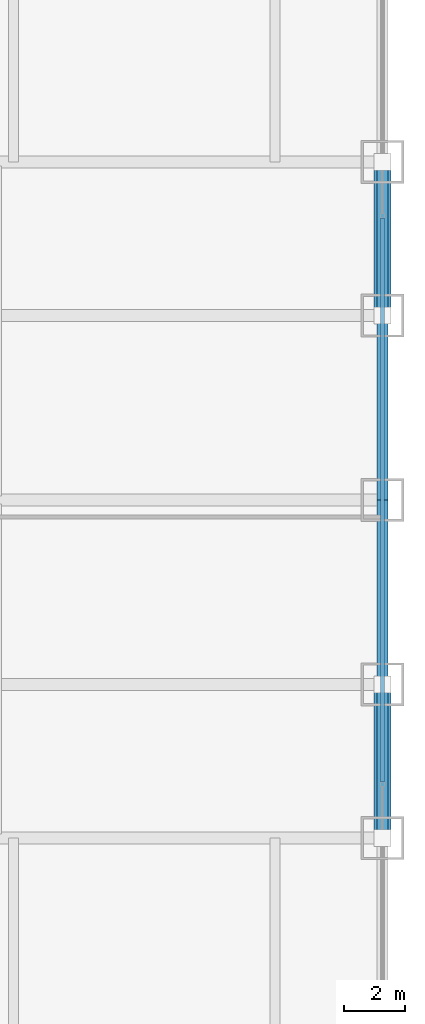
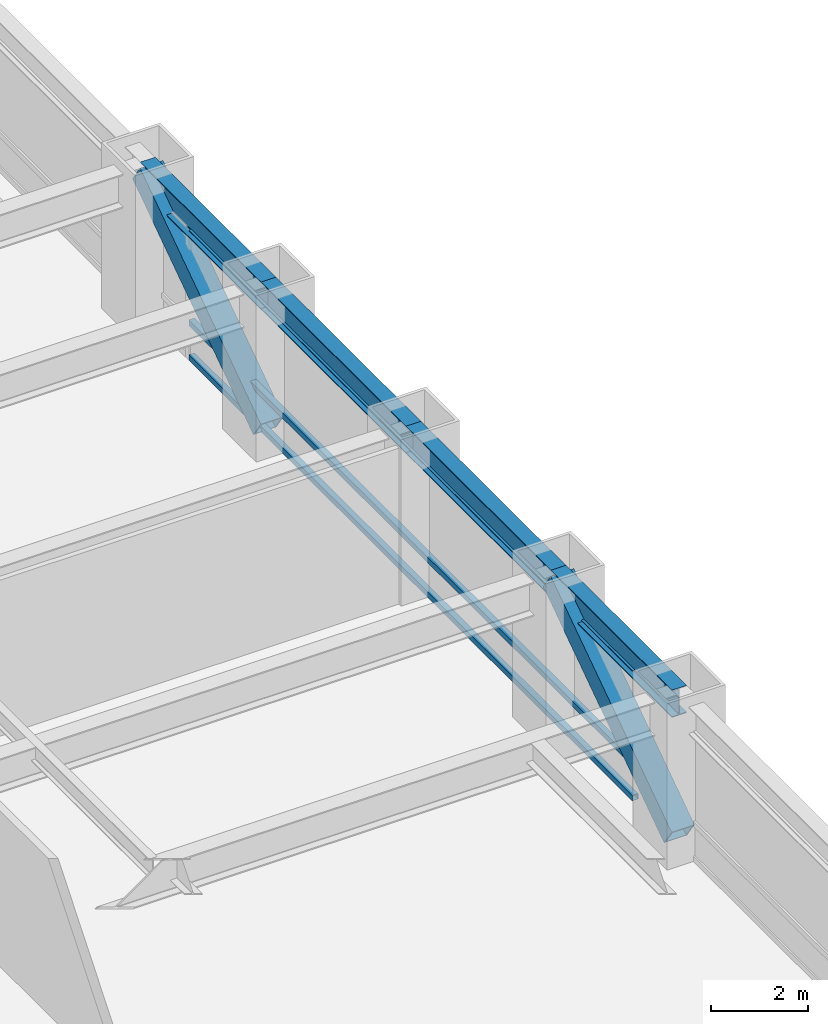
# One storey, part 17 of 28: 5 members, 4 beams, 1 element without a shape of its own.
"""IFC4 building model written with IfcOpenShell, lengths in metres."""

import ifcopenshell
import ifcopenshell.guid

model = None  # the IFC model being written
_history = None  # IfcOwnerHistory: only IFC2X3 demands one
_inside = {}  # id of a spatial element -> (the spatial element, [elements in it])
_under = {}  # id of a project, library or spatial element -> (it, [spatial elements below it])
_declared = {}  # id of a project -> (the project, [libraries it declares])
_typed = {}  # id of a type object -> (the type object, [elements of that type])
_made_of = {}  # id of a material, layer set ... -> (it, [elements and type objects made of it])


def new_model(schema):
    """Start an empty IFC model of exactly this schema.

    Asked for "IFC4X3", IfcOpenShell would pick the latest addendum, in which some entities
    have other attributes; the version numbers below select the first issue.
    IFC2X3 requires an IfcOwnerHistory on every rooted entity: one is made here for all.
    """
    global model, _history
    if schema == "IFC4X3":
        model = ifcopenshell.file(schema_version=(4, 3, 0, 0))
    else:
        model = ifcopenshell.file(schema=schema)
    _inside.clear()
    _under.clear()
    _declared.clear()
    _typed.clear()
    _made_of.clear()
    _history = None
    if model.schema == "IFC2X3":
        org = make("IfcOrganization", Name="unknown")
        user = make(
            "IfcPersonAndOrganization",
            ThePerson=make("IfcPerson", FamilyName="unknown"),
            TheOrganization=org,
        )
        app = make(
            "IfcApplication",
            ApplicationDeveloper=org,
            Version="unknown",
            ApplicationFullName="unknown",
            ApplicationIdentifier="unknown",
        )
        _history = make(
            "IfcOwnerHistory",
            OwningUser=user,
            OwningApplication=app,
            ChangeAction="ADDED",
            CreationDate=0,
        )
    return model


def make(cls, **values):
    """One entity of the class cls with the attributes given. An attribute that is None is left unset."""
    return model.create_entity(
        cls, **{name: value for name, value in values.items() if value is not None}
    )


def rooted(cls, **values):
    """An entity with a GlobalId (a new one), such as an element, a storey or a relation."""
    return make(cls, GlobalId=ifcopenshell.guid.new(), OwnerHistory=_history, **values)


def si_unit(unit_type, name, prefix=None):
    """IfcSIUnit, for example si_unit("LENGTHUNIT", "METRE", prefix="MILLI")."""
    return make("IfcSIUnit", UnitType=unit_type, Prefix=prefix, Name=name)


def assignment(units):
    """IfcUnitAssignment: the units of a project."""
    return None if units is None else make("IfcUnitAssignment", Units=units)


def point(xyz):
    """IfcCartesianPoint."""
    return None if xyz is None else make("IfcCartesianPoint", Coordinates=xyz)


def direction(xyz):
    """IfcDirection."""
    return None if xyz is None else make("IfcDirection", DirectionRatios=xyz)


def frame(location, z_axis=None, x_axis=None):
    """IfcAxis2Placement3D, a coordinate frame: its origin and axes. An axis left out is left unset."""
    return make(
        "IfcAxis2Placement3D",
        Location=point(location),
        Axis=direction(z_axis),
        RefDirection=direction(x_axis),
    )


def frame_2d(location, x_axis=None):
    """IfcAxis2Placement2D, a coordinate frame in the plane: its origin and x axis."""
    return make(
        "IfcAxis2Placement2D", Location=point(location), RefDirection=direction(x_axis)
    )


def origin():
    """The frame at (0, 0, 0) with its axes left unset."""
    return frame((0.0, 0.0, 0.0))


def origin_2d():
    """The frame at (0, 0) in the plane with its x axis left unset."""
    return frame_2d((0.0, 0.0))


def place(relative_to, where):
    """IfcLocalPlacement: puts the frame where relative to a parent placement (None: the world)."""
    return make(
        "IfcLocalPlacement", PlacementRelTo=relative_to, RelativePlacement=where
    )


def context(
    kind, dimensions, precision=None, world=None, true_north=None, identifier=None
):
    """IfcGeometricRepresentationContext, for example the 3D "Model" context."""
    return make(
        "IfcGeometricRepresentationContext",
        ContextIdentifier=identifier,
        ContextType=kind,
        CoordinateSpaceDimension=dimensions,
        Precision=precision,
        WorldCoordinateSystem=world,
        TrueNorth=true_north,
    )


def subcontext(parent, identifier, kind, view, scale=None):
    """IfcGeometricRepresentationSubContext, for example "Body" below "Model"."""
    return make(
        "IfcGeometricRepresentationSubContext",
        ContextIdentifier=identifier,
        ContextType=kind,
        ParentContext=parent,
        TargetScale=scale,
        TargetView=view,
    )


def project(units=None, contexts=None):
    """IfcProject with its units and contexts."""
    return rooted(
        "IfcProject",
        Name="project",
        RepresentationContexts=contexts,
        UnitsInContext=assignment(units),
    )


def spatial(cls, under=None, at=None, **own):
    """A site, building, storey or space (cls), placed at a placement, below another one or the project."""
    s = rooted(cls, ObjectPlacement=at, **own)
    if under is not None:
        _under.setdefault(under.id(), (under, []))[1].append(s)
    return s


def profile(cls, at=None, kind="AREA", **sizes):
    """A parametric profile (cls). Its sizes go by their IFC names, for example OverallWidth=200.0."""
    return make(cls, ProfileType=kind, Position=at, **sizes)


def hollow_rectangle(**sizes):
    """IfcRectangleHollowProfileDef."""
    return profile("IfcRectangleHollowProfileDef", **sizes)


def i_section(**sizes):
    """IfcIShapeProfileDef."""
    return profile("IfcIShapeProfileDef", **sizes)


def extrude(swept, where, along, depth):
    """IfcExtrudedAreaSolid: the profile swept, set in the frame where, extruded along a direction by depth."""
    return make(
        "IfcExtrudedAreaSolid",
        SweptArea=swept,
        Position=where,
        ExtrudedDirection=direction(along),
        Depth=depth,
    )


def shape(context_of_items, identifier, shape_type, items):
    """IfcShapeRepresentation: the items that make up one representation, for example the "Body"."""
    return make(
        "IfcShapeRepresentation",
        ContextOfItems=context_of_items,
        RepresentationIdentifier=identifier,
        RepresentationType=shape_type,
        Items=items,
    )


def source(mapping_origin, context_of_items, identifier, shape_type, items):
    """IfcRepresentationMap: a shape defined once, which mapped items show again and again."""
    return make(
        "IfcRepresentationMap",
        MappingOrigin=mapping_origin,
        MappedRepresentation=shape(context_of_items, identifier, shape_type, items),
    )


def transform(
    local_origin,
    x_axis=None,
    y_axis=None,
    z_axis=None,
    scale=None,
    scale2=None,
    scale3=None,
    uniform=True,
):
    """IfcCartesianTransformationOperator3D, or its non-uniform kind. x_axis, y_axis, z_axis: its Axis1, 2, 3."""
    if uniform:
        return make(
            "IfcCartesianTransformationOperator3D",
            Axis1=direction(x_axis),
            Axis2=direction(y_axis),
            LocalOrigin=point(local_origin),
            Scale=scale,
            Axis3=direction(z_axis),
        )
    return make(
        "IfcCartesianTransformationOperator3DnonUniform",
        Axis1=direction(x_axis),
        Axis2=direction(y_axis),
        LocalOrigin=point(local_origin),
        Scale=scale,
        Axis3=direction(z_axis),
        Scale2=scale2,
        Scale3=scale3,
    )


def mapped(mapping_source, mapping_target):
    """IfcMappedItem: shows the shape of a source again, moved by a transform."""
    return make(
        "IfcMappedItem", MappingSource=mapping_source, MappingTarget=mapping_target
    )


def material(Name=None, Category=None):
    """IfcMaterial."""
    return make("IfcMaterial", Name=Name, Category=Category)


def material_profile(
    of_material, cross_section, Name=None, Category=None, Priority=None
):
    """IfcMaterialProfile: a cross section and its material."""
    return make(
        "IfcMaterialProfile",
        Name=Name,
        Material=of_material,
        Profile=cross_section,
        Priority=Priority,
        Category=Category,
    )


def profile_set(profiles, Name=None, composite=None):
    """IfcMaterialProfileSet."""
    return make(
        "IfcMaterialProfileSet",
        Name=Name,
        MaterialProfiles=profiles,
        CompositeProfile=composite,
    )


def made_of(thing, what):
    """Note that an element or type object is made of a material, layer set ...; save() writes the relation."""
    if what is not None:
        _made_of.setdefault(what.id(), (what, []))[1].append(thing)
    return thing


def type_object(cls, material=None, **own):
    """A type object (cls), such as IfcWallType, which elements share."""
    return made_of(rooted(cls, **own), material)


def element(
    cls,
    number,
    at=None,
    inside=None,
    cuts=None,
    type_object=None,
    material=None,
    context=None,
    identifier="Body",
    shape_type=None,
    held_by="IfcProductDefinitionShape",
    body=None,
    shapes=None,
    **own,
):
    """One element of the class cls, such as IfcWall. Its Tag is "e" and its number.

    at: its placement. inside: the storey or other place that contains it. cuts: it is an
    opening in that element (IfcRelVoidsElement). A single representation is given by context,
    identifier, shape_type and body (its items); several are given by shapes. held_by: the class
    of the entity that holds the representations. save() writes the other relations.
    """
    e = rooted(cls, Tag="e%d" % number, ObjectPlacement=at, **own)
    if body is not None:
        shapes = [shape(context, identifier, shape_type, body)]
    if shapes is not None:
        e.Representation = make(held_by, Representations=shapes)
    if inside is not None:
        _inside.setdefault(inside.id(), (inside, []))[1].append(e)
    if cuts is not None:
        rooted(
            "IfcRelVoidsElement", RelatingBuildingElement=cuts, RelatedOpeningElement=e
        )
    if type_object is not None:
        _typed.setdefault(type_object.id(), (type_object, []))[1].append(e)
    return made_of(e, material)


def aggregate(whole, parts):
    """IfcRelAggregates: a whole, such as a stair, and the parts it consists of."""
    return rooted("IfcRelAggregates", RelatingObject=whole, RelatedObjects=parts)


def save(model, path):
    """Write the relations noted so far, then the file.

    IfcRelAggregates (storeys below a building ...), IfcRelContainedInSpatialStructure (elements
    in a storey), IfcRelDefinesByType, IfcRelAssociatesMaterial and IfcRelDeclares: one each for
    every whole, place, type object, material and project.
    """
    for whole, parts in _under.values():
        aggregate(whole, parts)
    for where, things in _inside.values():
        rooted(
            "IfcRelContainedInSpatialStructure",
            RelatedElements=things,
            RelatingStructure=where,
        )
    for kind, things in _typed.values():
        rooted("IfcRelDefinesByType", RelatedObjects=things, RelatingType=kind)
    for what, things in _made_of.values():
        rooted("IfcRelAssociatesMaterial", RelatedObjects=things, RelatingMaterial=what)
    for by, libraries in _declared.values():
        rooted("IfcRelDeclares", RelatingContext=by, RelatedDefinitions=libraries)
    model.write(path)


model = new_model("IFC4")

# Units and contexts
model_context = context("Model", 3, precision=1e-05, world=origin(), true_north=direction((0.0, 1.0)))
body_context = subcontext(model_context, "Body", "Model", "MODEL_VIEW")
ifc_project = project(units=[si_unit("LENGTHUNIT", "METRE"), si_unit("AREAUNIT", "SQUARE_METRE"), si_unit("VOLUMEUNIT", "CUBIC_METRE"), si_unit("PLANEANGLEUNIT", "RADIAN"), si_unit("MASSUNIT", "GRAM", prefix="KILO")], contexts=[model_context])

# Site, building, storey
site_placement = place(None, origin())
site = spatial("IfcSite", under=ifc_project, at=site_placement, CompositionType="ELEMENT")
building_placement = place(site_placement, origin())
building = spatial("IfcBuilding", under=site, at=building_placement, Name="Khorayat Bourse Tower", CompositionType="ELEMENT")
storey_placement = place(building_placement, frame((0.0, 0.0, 57.800048828125)))
storey = spatial("IfcBuildingStorey", under=building, at=storey_placement, Name="L12", CompositionType="ELEMENT", Elevation=57.800048828125)

# Beams
ifc_material_1 = material(Name="Steel ASTM A992 Grade 50", Category="steel")
ifc_material_profile_1 = material_profile(ifc_material_1, i_section(OverallWidth=0.35498046875, OverallDepth=0.695068359375, WebThickness=0.015380859375, FlangeThickness=0.02490234375, FilletRadius=0.01806640625, at=origin_2d()), Name="W690X217")
ifc_profile_set_1 = profile_set([ifc_material_profile_1], Name="Steel ASTM A992 Grade 50")
beam_type = type_object("IfcBeamType", Name="BM-SPAN-690", PredefinedType="SPANDREL", material=ifc_profile_set_1)
shared_shape_1 = source(origin(), body_context, "Body", "SweptSolid", [
    extrude(i_section(OverallWidth=0.35498046875, OverallDepth=0.695068359375, WebThickness=0.015380859375, FlangeThickness=0.02490234375, FilletRadius=0.01806640625, at=origin_2d()), origin(), (0.0, 0.0, 1.0), 5.0),
])
for number, where, z_axis, x_axis, name in (
    (1, (32.0, -11.0, 3.592529296875), (0.0, 1.0, 0.0), (-1.0, 0.0, 0.0), "L12 BM-SPAN-690 BM-L12-SPN-036"),
    (2, (32.0, 6.0, 3.592529296875), (0.0, 1.0, 0.0), (-1.0, 0.0, 0.0), "L12 BM-SPAN-690 BM-L12-SPN-039"),
):
    element("IfcBeam", number, at=place(storey_placement, frame(where, z_axis=z_axis, x_axis=x_axis)), inside=storey, type_object=beam_type, Name=name, PredefinedType="SPANDREL", context=body_context, shape_type="MappedRepresentation", body=[
        mapped(shared_shape_1, transform((0.0, 0.0, 0.0), scale=1.0)),
    ])
shared_shape_2 = source(origin(), body_context, "Body", "SweptSolid", [
    extrude(i_section(OverallWidth=0.35498046875, OverallDepth=0.695068359375, WebThickness=0.015380859375, FlangeThickness=0.02490234375, FilletRadius=0.01806640625, at=origin_2d()), origin(), (0.0, 0.0, 1.0), 6.0),
])
for number, where, z_axis, x_axis, name in (
    (3, (32.0, -6.0, 3.592529296875), (0.0, 1.0, 0.0), (-1.0, 0.0, 0.0), "L12 BM-SPAN-690 BM-L12-SPN-037"),
    (4, (32.0, 0.0, 3.592529296875), (0.0, 1.0, 0.0), (-1.0, 0.0, 0.0), "L12 BM-SPAN-690 BM-L12-SPN-038"),
):
    element("IfcBeam", number, at=place(storey_placement, frame(where, z_axis=z_axis, x_axis=x_axis)), inside=storey, type_object=beam_type, Name=name, PredefinedType="SPANDREL", context=body_context, shape_type="MappedRepresentation", body=[
        mapped(shared_shape_2, transform((0.0, 0.0, 0.0), scale=1.0)),
    ])

# Members
ifc_material_2 = material(Name="Steel EN 10025-4 S460M", Category="steel")
ifc_material_profile_2 = material_profile(ifc_material_2, hollow_rectangle(XDim=0.550048828125, YDim=0.550048828125, WallThickness=0.031982421875, at=origin_2d()), Name="HSS 550x550x32")
ifc_profile_set_2 = profile_set([ifc_material_profile_2], Name="Steel EN 10025-4 S460M")
member_type_1 = type_object("IfcMemberType", Name="MBR-TUBE-550", PredefinedType="BRACE", material=ifc_profile_set_2)
shared_shape_3 = source(origin(), body_context, "Body", "SweptSolid", [
    extrude(hollow_rectangle(XDim=0.550048828125, YDim=0.550048828125, WallThickness=0.031982421875, at=origin_2d()), origin(), (0.0, 0.0, 1.0), 6.069091796875),
])
for number, where, z_axis, x_axis, name in (
    (5, (32.0, -11.0, 0.25), (0.0, 0.823854080622, 0.566801952928), (-1.0, 0.0, 0.0), "L12 Perimeter Tube Brace 07"),
    (6, (32.0, 6.0, 0.25), (0.0, 0.823854080622, 0.566801952928), (-1.0, 0.0, 0.0), "L12 Perimeter Tube Brace 08"),
):
    element("IfcMember", number, at=place(storey_placement, frame(where, z_axis=z_axis, x_axis=x_axis)), inside=storey, type_object=member_type_1, Name=name, PredefinedType="BRACE", context=body_context, shape_type="MappedRepresentation", body=[
        mapped(shared_shape_3, transform((0.0, 0.0, 0.0), scale=1.0)),
    ])

# Curtain wall, members
ifc_material_3 = material(Name="Aluminium EN AW-6063 T6", Category="aluminium")
curtain_wall_type = type_object("IfcCurtainWallType", Name="CW-SYS-02", PredefinedType="NOTDEFINED", material=ifc_material_3)
curtain_wall_placement = place(storey_placement, origin())
curtain_wall = element("IfcCurtainWall", 7, at=curtain_wall_placement, inside=storey, type_object=curtain_wall_type, Name="L12 Curtain Wall CW-L12-E1", PredefinedType="NOTDEFINED")
ifc_material_profile_3 = material_profile(ifc_material_3, hollow_rectangle(XDim=0.139892578125, YDim=0.139892578125, WallThickness=0.006103515625, at=origin_2d()), Name="ALU 140x140x6")
ifc_profile_set_3 = profile_set([ifc_material_profile_3], Name="Aluminium EN AW-6063 T6")
member_type_2 = type_object("IfcMemberType", Name="CWT-HORZ-140", PredefinedType="USERDEFINED", material=ifc_profile_set_3)
shared_shape_4 = source(origin(), body_context, "Body", "SweptSolid", [
    extrude(hollow_rectangle(XDim=0.139892578125, YDim=0.139892578125, WallThickness=0.006103515625, at=origin_2d()), origin(), (0.0, 0.0, 1.0), 18.35986328125),
])
member_1_placement = place(storey_placement, frame((32.0, -9.179931640625, 0.070068359375), z_axis=(0.0, 1.0, 0.0), x_axis=(-1.0, 0.0, 0.0)))
member_1 = element("IfcMember", 8, at=member_1_placement, type_object=member_type_2, Name="CW-L12-E1 Horizontal Transom 2-1", ObjectType="TRANSOM", PredefinedType="USERDEFINED", context=body_context, shape_type="MappedRepresentation", body=[
    mapped(shared_shape_4, transform((0.0, 0.0, 0.0), scale=1.0)),
])
member_2_placement = place(storey_placement, frame((32.0, -9.179931640625, 0.949951171875), z_axis=(0.0, 1.0, 0.0), x_axis=(-1.0, 0.0, 0.0)))
member_2 = element("IfcMember", 9, at=member_2_placement, type_object=member_type_2, Name="CW-L12-E1 Horizontal Transom 2-2", ObjectType="TRANSOM", PredefinedType="USERDEFINED", context=body_context, shape_type="MappedRepresentation", body=[
    mapped(shared_shape_4, transform((0.0, 0.0, 0.0), scale=1.0)),
])
member_3_placement = place(storey_placement, frame((32.0, -9.179931640625, 3.219970703125), z_axis=(0.0, 1.0, 0.0), x_axis=(-1.0, 0.0, 0.0)))
member_3 = element("IfcMember", 10, at=member_3_placement, type_object=member_type_2, Name="CW-L12-E1 Horizontal Transom 2-3", ObjectType="TRANSOM", PredefinedType="USERDEFINED", context=body_context, shape_type="MappedRepresentation", body=[
    mapped(shared_shape_4, transform((0.0, 0.0, 0.0), scale=1.0)),
])
aggregate(curtain_wall, [member_1, member_2, member_3])

save(model, "model.ifc")
